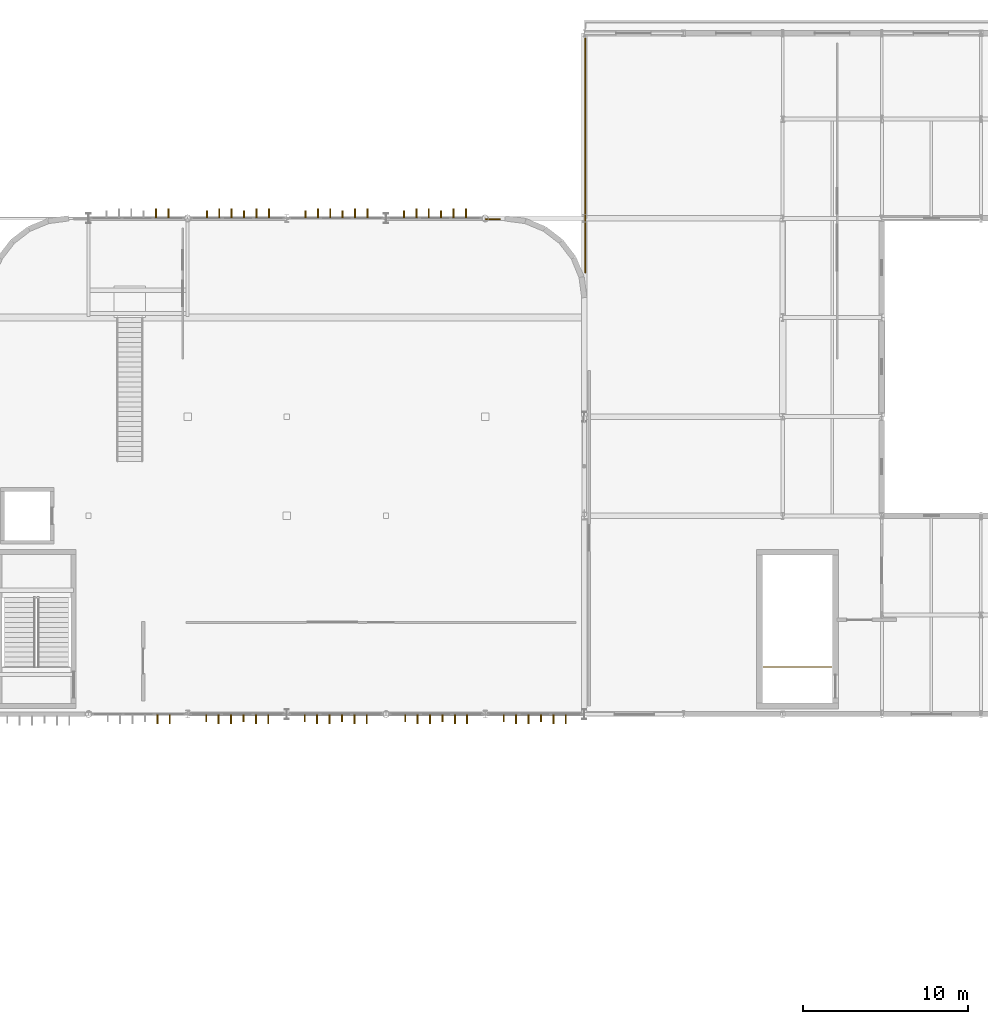
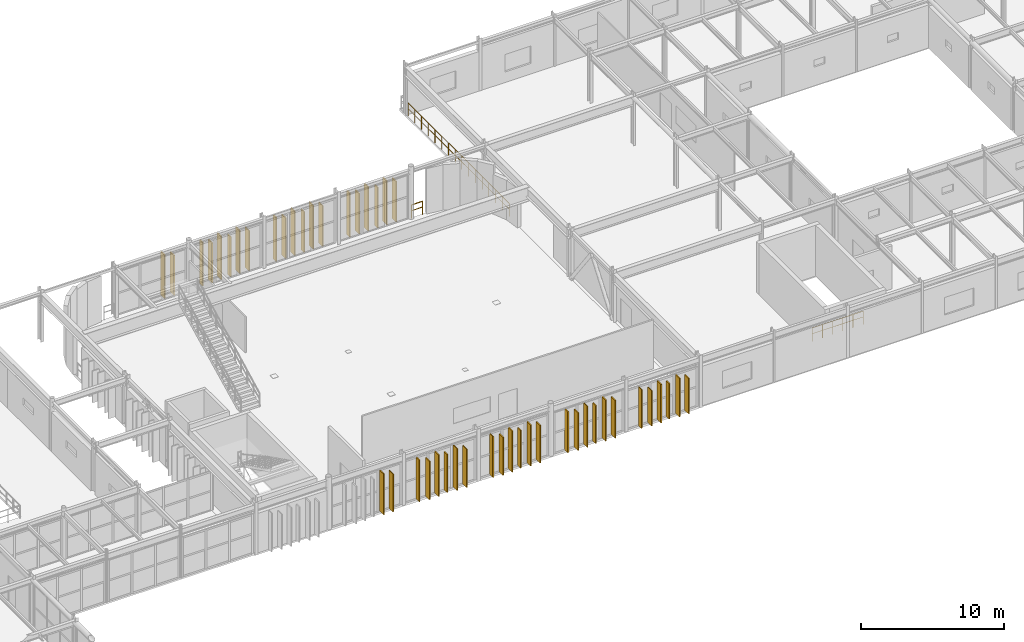
# One storey, part 79 of 84: 46 coverings, 3 railings.
"""IFC4 building model written with IfcOpenShell, lengths in metres."""

from ifc_helpers import new_model, si_unit, direction, frame, origin, origin_2d, place, context, subcontext, project, spatial, rectangle, circle, extrude, material, layer, layer_set, type_object, element, save


model = new_model("IFC4")

# Units and contexts
model_context = context("Model", 3, precision=1e-05, world=origin(), true_north=direction((0.0, 1.0)))
body_context = subcontext(model_context, "Body", "Model", "MODEL_VIEW")
ifc_project = project(units=[si_unit("LENGTHUNIT", "METRE"), si_unit("AREAUNIT", "SQUARE_METRE"), si_unit("VOLUMEUNIT", "CUBIC_METRE"), si_unit("PLANEANGLEUNIT", "RADIAN"), si_unit("MASSUNIT", "GRAM", prefix="KILO")], contexts=[model_context])

# Site, building, storey
site_placement = place(None, origin())
site = spatial("IfcSite", under=ifc_project, at=site_placement, CompositionType="ELEMENT")
building_placement = place(site_placement, origin())
building = spatial("IfcBuilding", under=site, at=building_placement, Name="Varnakota Square Police Headquarters", CompositionType="ELEMENT")
storey_placement = place(building_placement, frame((0.0, 0.0, 13.5)))
storey = spatial("IfcBuildingStorey", under=building, at=storey_placement, Name="L03", CompositionType="ELEMENT", Elevation=13.5)

# Coverings
ifc_material_1 = material(Name="White Anodised Aluminium Vertical Facade Blade 420", Category="aluminium")
ifc_layer_1 = layer(ifc_material_1, 0.0849609375, Name="White Anodised Aluminium Vertical Facade Blade 420")
ifc_layer_set_1 = layer_set([ifc_layer_1], Name="White Anodised Aluminium Vertical Facade Blade 420")
covering_type_1 = type_object("IfcCoveringType", Name="COV-FIN-420", PredefinedType="CLADDING", material=ifc_layer_set_1)
covering_1_placement = place(storey_placement, frame((73.125, 68.762451171875, 0.0400390625), z_axis=(0.0, 0.0, 1.0), x_axis=(1.0, 0.0, 0.0)))
element("IfcCovering", 1, at=covering_1_placement, inside=storey, type_object=covering_type_1, Name="Vertical aluminium facade fin FIN-1294", PredefinedType="CLADDING", context=body_context, shape_type="SweptSolid", body=[
    extrude(rectangle(XDim=0.0849609375, YDim=0.419921875, at=origin_2d()), origin(), (0.0, 0.0, 1.0), 3.56005859375),
])
covering_2_placement = place(storey_placement, frame((75.375, 68.762451171875, 0.0400390625), z_axis=(0.0, 0.0, 1.0), x_axis=(1.0, 0.0, 0.0)))
element("IfcCovering", 2, at=covering_2_placement, inside=storey, type_object=covering_type_1, Name="Vertical aluminium facade fin FIN-1297", PredefinedType="CLADDING", context=body_context, shape_type="SweptSolid", body=[
    extrude(rectangle(XDim=0.0849609375, YDim=0.419921875, at=origin_2d()), origin(), (0.0, 0.0, 1.0), 3.280029296875),
])
covering_3_placement = place(storey_placement, frame((79.0859375, 68.762451171875, 0.0400390625), z_axis=(0.0, 0.0, 1.0), x_axis=(1.0, 0.0, 0.0)))
element("IfcCovering", 3, at=covering_3_placement, inside=storey, type_object=covering_type_1, Name="Vertical aluminium facade fin FIN-1300", PredefinedType="CLADDING", context=body_context, shape_type="SweptSolid", body=[
    extrude(rectangle(XDim=0.0849609375, YDim=0.419921875, at=origin_2d()), origin(), (0.0, 0.0, 1.0), 3.510009765625),
])
covering_4_placement = place(storey_placement, frame((81.3359375, 68.762451171875, 0.0400390625), z_axis=(0.0, 0.0, 1.0), x_axis=(1.0, 0.0, 0.0)))
element("IfcCovering", 4, at=covering_4_placement, inside=storey, type_object=covering_type_1, Name="Vertical aluminium facade fin FIN-1303", PredefinedType="CLADDING", context=body_context, shape_type="SweptSolid", body=[
    extrude(rectangle(XDim=0.0849609375, YDim=0.419921875, at=origin_2d()), origin(), (0.0, 0.0, 1.0), 3.22998046875),
])
covering_5_placement = place(storey_placement, frame((85.1640625, 68.762451171875, 0.0400390625), z_axis=(0.0, 0.0, 1.0), x_axis=(1.0, 0.0, 0.0)))
element("IfcCovering", 5, at=covering_5_placement, inside=storey, type_object=covering_type_1, Name="Vertical aluminium facade fin FIN-1306", PredefinedType="CLADDING", context=body_context, shape_type="SweptSolid", body=[
    extrude(rectangle(XDim=0.0849609375, YDim=0.419921875, at=origin_2d()), origin(), (0.0, 0.0, 1.0), 3.510009765625),
])
covering_6_placement = place(storey_placement, frame((87.4140625, 68.762451171875, 0.0400390625), z_axis=(0.0, 0.0, 1.0), x_axis=(1.0, 0.0, 0.0)))
element("IfcCovering", 6, at=covering_6_placement, inside=storey, type_object=covering_type_1, Name="Vertical aluminium facade fin FIN-1309", PredefinedType="CLADDING", context=body_context, shape_type="SweptSolid", body=[
    extrude(rectangle(XDim=0.0849609375, YDim=0.419921875, at=origin_2d()), origin(), (0.0, 0.0, 1.0), 3.22998046875),
])
covering_7_placement = place(storey_placement, frame((91.125, 68.762451171875, 0.0400390625), z_axis=(0.0, 0.0, 1.0), x_axis=(1.0, 0.0, 0.0)))
element("IfcCovering", 7, at=covering_7_placement, inside=storey, type_object=covering_type_1, Name="Vertical aluminium facade fin FIN-1312", PredefinedType="CLADDING", context=body_context, shape_type="SweptSolid", body=[
    extrude(rectangle(XDim=0.0849609375, YDim=0.419921875, at=origin_2d()), origin(), (0.0, 0.0, 1.0), 3.31005859375),
])
covering_8_placement = place(storey_placement, frame((93.375, 68.762451171875, 0.0400390625), z_axis=(0.0, 0.0, 1.0), x_axis=(1.0, 0.0, 0.0)))
element("IfcCovering", 8, at=covering_8_placement, inside=storey, type_object=covering_type_1, Name="Vertical aluminium facade fin FIN-1315", PredefinedType="CLADDING", context=body_context, shape_type="SweptSolid", body=[
    extrude(rectangle(XDim=0.0849609375, YDim=0.419921875, at=origin_2d()), origin(), (0.0, 0.0, 1.0), 3.030029296875),
])
covering_9_placement = place(storey_placement, frame((73.1640625, 99.237548828125, 0.0400390625), z_axis=(0.0, 0.0, 1.0), x_axis=(1.0, 0.0, 0.0)))
element("IfcCovering", 9, at=covering_9_placement, inside=storey, type_object=covering_type_1, Name="Vertical aluminium facade fin FIN-1324", PredefinedType="CLADDING", context=body_context, shape_type="SweptSolid", body=[
    extrude(rectangle(XDim=0.0849609375, YDim=0.419921875, at=origin_2d()), origin(), (0.0, 0.0, 1.0), 3.7099609375),
])
covering_10_placement = place(storey_placement, frame((75.4140625, 99.237548828125, 0.0400390625), z_axis=(0.0, 0.0, 1.0), x_axis=(1.0, 0.0, 0.0)))
element("IfcCovering", 10, at=covering_10_placement, inside=storey, type_object=covering_type_1, Name="Vertical aluminium facade fin FIN-1327", PredefinedType="CLADDING", context=body_context, shape_type="SweptSolid", body=[
    extrude(rectangle(XDim=0.0849609375, YDim=0.419921875, at=origin_2d()), origin(), (0.0, 0.0, 1.0), 3.429931640625),
])
covering_11_placement = place(storey_placement, frame((79.125, 99.237548828125, 0.0400390625), z_axis=(0.0, 0.0, 1.0), x_axis=(1.0, 0.0, 0.0)))
element("IfcCovering", 11, at=covering_11_placement, inside=storey, type_object=covering_type_1, Name="Vertical aluminium facade fin FIN-1330", PredefinedType="CLADDING", context=body_context, shape_type="SweptSolid", body=[
    extrude(rectangle(XDim=0.0849609375, YDim=0.419921875, at=origin_2d()), origin(), (0.0, 0.0, 1.0), 3.760009765625),
])
covering_12_placement = place(storey_placement, frame((81.375, 99.237548828125, 0.0400390625), z_axis=(0.0, 0.0, 1.0), x_axis=(1.0, 0.0, 0.0)))
element("IfcCovering", 12, at=covering_12_placement, inside=storey, type_object=covering_type_1, Name="Vertical aluminium facade fin FIN-1333", PredefinedType="CLADDING", context=body_context, shape_type="SweptSolid", body=[
    extrude(rectangle(XDim=0.0849609375, YDim=0.419921875, at=origin_2d()), origin(), (0.0, 0.0, 1.0), 3.47998046875),
])
covering_13_placement = place(storey_placement, frame((85.0859375, 99.237548828125, 0.0400390625), z_axis=(0.0, 0.0, 1.0), x_axis=(1.0, 0.0, 0.0)))
element("IfcCovering", 13, at=covering_13_placement, inside=storey, type_object=covering_type_1, Name="Vertical aluminium facade fin FIN-1336", PredefinedType="CLADDING", context=body_context, shape_type="SweptSolid", body=[
    extrude(rectangle(XDim=0.0849609375, YDim=0.419921875, at=origin_2d()), origin(), (0.0, 0.0, 1.0), 3.760009765625),
])
covering_14_placement = place(storey_placement, frame((87.3359375, 99.237548828125, 0.0400390625), z_axis=(0.0, 0.0, 1.0), x_axis=(1.0, 0.0, 0.0)))
element("IfcCovering", 14, at=covering_14_placement, inside=storey, type_object=covering_type_1, Name="Vertical aluminium facade fin FIN-1339", PredefinedType="CLADDING", context=body_context, shape_type="SweptSolid", body=[
    extrude(rectangle(XDim=0.0849609375, YDim=0.419921875, at=origin_2d()), origin(), (0.0, 0.0, 1.0), 3.47998046875),
])
ifc_material_2 = material(Name="White Anodised Aluminium Vertical Facade Blade 550", Category="aluminium")
ifc_layer_2 = layer(ifc_material_2, 0.0849609375, Name="White Anodised Aluminium Vertical Facade Blade 550")
ifc_layer_set_2 = layer_set([ifc_layer_2], Name="White Anodised Aluminium Vertical Facade Blade 550")
covering_type_2 = type_object("IfcCoveringType", Name="COV-FIN-550", PredefinedType="CLADDING", material=ifc_layer_set_2)
covering_15_placement = place(storey_placement, frame((70.1640625, 68.697509765625, 0.0400390625), z_axis=(0.0, 0.0, 1.0), x_axis=(1.0, 0.0, 0.0)))
element("IfcCovering", 15, at=covering_15_placement, inside=storey, type_object=covering_type_2, Name="Vertical aluminium facade fin FIN-1292", PredefinedType="CLADDING", context=body_context, shape_type="SweptSolid", body=[
    extrude(rectangle(XDim=0.0849609375, YDim=0.550048828125, at=origin_2d()), origin(), (0.0, 0.0, 1.0), 3.510009765625),
])
covering_16_placement = place(storey_placement, frame((70.9140625, 68.697509765625, 0.0400390625), z_axis=(0.0, 0.0, 1.0), x_axis=(1.0, 0.0, 0.0)))
element("IfcCovering", 16, at=covering_16_placement, inside=storey, type_object=covering_type_2, Name="Vertical aluminium facade fin FIN-1293", PredefinedType="CLADDING", context=body_context, shape_type="SweptSolid", body=[
    extrude(rectangle(XDim=0.0849609375, YDim=0.550048828125, at=origin_2d()), origin(), (0.0, 0.0, 1.0), 3.22998046875),
])
covering_17_placement = place(storey_placement, frame((73.875, 68.697509765625, 0.0400390625), z_axis=(0.0, 0.0, 1.0), x_axis=(1.0, 0.0, 0.0)))
element("IfcCovering", 17, at=covering_17_placement, inside=storey, type_object=covering_type_2, Name="Vertical aluminium facade fin FIN-1295", PredefinedType="CLADDING", context=body_context, shape_type="SweptSolid", body=[
    extrude(rectangle(XDim=0.0849609375, YDim=0.550048828125, at=origin_2d()), origin(), (0.0, 0.0, 1.0), 3.280029296875),
])
for number, where, z_axis, x_axis, name in (
    (18, (74.625, 68.697509765625, 0.0400390625), (0.0, 0.0, 1.0), (1.0, 0.0, 0.0), "Vertical aluminium facade fin FIN-1296"),
    (19, (76.125, 68.697509765625, 0.0400390625), (0.0, 0.0, 1.0), (1.0, 0.0, 0.0), "Vertical aluminium facade fin FIN-1298"),
):
    element("IfcCovering", number, at=place(storey_placement, frame(where, z_axis=z_axis, x_axis=x_axis)), inside=storey, type_object=covering_type_2, Name=name, PredefinedType="CLADDING", context=body_context, shape_type="SweptSolid", body=[
        extrude(rectangle(XDim=0.0849609375, YDim=0.550048828125, at=origin_2d()), origin(), (0.0, 0.0, 1.0), 3.56005859375),
    ])
covering_18_placement = place(storey_placement, frame((76.875, 68.697509765625, 0.0400390625), z_axis=(0.0, 0.0, 1.0), x_axis=(1.0, 0.0, 0.0)))
element("IfcCovering", 20, at=covering_18_placement, inside=storey, type_object=covering_type_2, Name="Vertical aluminium facade fin FIN-1299", PredefinedType="CLADDING", context=body_context, shape_type="SweptSolid", body=[
    extrude(rectangle(XDim=0.0849609375, YDim=0.550048828125, at=origin_2d()), origin(), (0.0, 0.0, 1.0), 3.280029296875),
])
covering_19_placement = place(storey_placement, frame((79.8359375, 68.697509765625, 0.0400390625), z_axis=(0.0, 0.0, 1.0), x_axis=(1.0, 0.0, 0.0)))
element("IfcCovering", 21, at=covering_19_placement, inside=storey, type_object=covering_type_2, Name="Vertical aluminium facade fin FIN-1301", PredefinedType="CLADDING", context=body_context, shape_type="SweptSolid", body=[
    extrude(rectangle(XDim=0.0849609375, YDim=0.550048828125, at=origin_2d()), origin(), (0.0, 0.0, 1.0), 3.22998046875),
])
for number, where, z_axis, x_axis, name in (
    (22, (80.5859375, 68.697509765625, 0.0400390625), (0.0, 0.0, 1.0), (1.0, 0.0, 0.0), "Vertical aluminium facade fin FIN-1302"),
    (23, (82.0859375, 68.697509765625, 0.0400390625), (0.0, 0.0, 1.0), (1.0, 0.0, 0.0), "Vertical aluminium facade fin FIN-1304"),
):
    element("IfcCovering", number, at=place(storey_placement, frame(where, z_axis=z_axis, x_axis=x_axis)), inside=storey, type_object=covering_type_2, Name=name, PredefinedType="CLADDING", context=body_context, shape_type="SweptSolid", body=[
        extrude(rectangle(XDim=0.0849609375, YDim=0.550048828125, at=origin_2d()), origin(), (0.0, 0.0, 1.0), 3.510009765625),
    ])
for number, where, z_axis, x_axis, name in (
    (24, (82.8359375, 68.697509765625, 0.0400390625), (0.0, 0.0, 1.0), (1.0, 0.0, 0.0), "Vertical aluminium facade fin FIN-1305"),
    (25, (85.9140625, 68.697509765625, 0.0400390625), (0.0, 0.0, 1.0), (1.0, 0.0, 0.0), "Vertical aluminium facade fin FIN-1307"),
):
    element("IfcCovering", number, at=place(storey_placement, frame(where, z_axis=z_axis, x_axis=x_axis)), inside=storey, type_object=covering_type_2, Name=name, PredefinedType="CLADDING", context=body_context, shape_type="SweptSolid", body=[
        extrude(rectangle(XDim=0.0849609375, YDim=0.550048828125, at=origin_2d()), origin(), (0.0, 0.0, 1.0), 3.22998046875),
    ])
for number, where, z_axis, x_axis, name in (
    (26, (86.6640625, 68.697509765625, 0.0400390625), (0.0, 0.0, 1.0), (1.0, 0.0, 0.0), "Vertical aluminium facade fin FIN-1308"),
    (27, (88.1640625, 68.697509765625, 0.0400390625), (0.0, 0.0, 1.0), (1.0, 0.0, 0.0), "Vertical aluminium facade fin FIN-1310"),
):
    element("IfcCovering", number, at=place(storey_placement, frame(where, z_axis=z_axis, x_axis=x_axis)), inside=storey, type_object=covering_type_2, Name=name, PredefinedType="CLADDING", context=body_context, shape_type="SweptSolid", body=[
        extrude(rectangle(XDim=0.0849609375, YDim=0.550048828125, at=origin_2d()), origin(), (0.0, 0.0, 1.0), 3.510009765625),
    ])
covering_20_placement = place(storey_placement, frame((88.9140625, 68.697509765625, 0.0400390625), z_axis=(0.0, 0.0, 1.0), x_axis=(1.0, 0.0, 0.0)))
element("IfcCovering", 28, at=covering_20_placement, inside=storey, type_object=covering_type_2, Name="Vertical aluminium facade fin FIN-1311", PredefinedType="CLADDING", context=body_context, shape_type="SweptSolid", body=[
    extrude(rectangle(XDim=0.0849609375, YDim=0.550048828125, at=origin_2d()), origin(), (0.0, 0.0, 1.0), 3.22998046875),
])
covering_21_placement = place(storey_placement, frame((91.875, 68.697509765625, 0.0400390625), z_axis=(0.0, 0.0, 1.0), x_axis=(1.0, 0.0, 0.0)))
element("IfcCovering", 29, at=covering_21_placement, inside=storey, type_object=covering_type_2, Name="Vertical aluminium facade fin FIN-1313", PredefinedType="CLADDING", context=body_context, shape_type="SweptSolid", body=[
    extrude(rectangle(XDim=0.0849609375, YDim=0.550048828125, at=origin_2d()), origin(), (0.0, 0.0, 1.0), 3.030029296875),
])
for number, where, z_axis, x_axis, name in (
    (30, (92.625, 68.697509765625, 0.0400390625), (0.0, 0.0, 1.0), (1.0, 0.0, 0.0), "Vertical aluminium facade fin FIN-1314"),
    (31, (94.125, 68.697509765625, 0.0400390625), (0.0, 0.0, 1.0), (1.0, 0.0, 0.0), "Vertical aluminium facade fin FIN-1316"),
):
    element("IfcCovering", number, at=place(storey_placement, frame(where, z_axis=z_axis, x_axis=x_axis)), inside=storey, type_object=covering_type_2, Name=name, PredefinedType="CLADDING", context=body_context, shape_type="SweptSolid", body=[
        extrude(rectangle(XDim=0.0849609375, YDim=0.550048828125, at=origin_2d()), origin(), (0.0, 0.0, 1.0), 3.31005859375),
    ])
covering_22_placement = place(storey_placement, frame((94.875, 68.697509765625, 0.0400390625), z_axis=(0.0, 0.0, 1.0), x_axis=(1.0, 0.0, 0.0)))
element("IfcCovering", 32, at=covering_22_placement, inside=storey, type_object=covering_type_2, Name="Vertical aluminium facade fin FIN-1317", PredefinedType="CLADDING", context=body_context, shape_type="SweptSolid", body=[
    extrude(rectangle(XDim=0.0849609375, YDim=0.550048828125, at=origin_2d()), origin(), (0.0, 0.0, 1.0), 3.030029296875),
])
covering_23_placement = place(storey_placement, frame((70.0859375, 99.302490234375, 0.0400390625), z_axis=(0.0, 0.0, 1.0), x_axis=(1.0, 0.0, 0.0)))
element("IfcCovering", 33, at=covering_23_placement, inside=storey, type_object=covering_type_2, Name="Vertical aluminium facade fin FIN-1322", PredefinedType="CLADDING", context=body_context, shape_type="SweptSolid", body=[
    extrude(rectangle(XDim=0.0849609375, YDim=0.550048828125, at=origin_2d()), origin(), (0.0, 0.0, 1.0), 3.7099609375),
])
for number, where, z_axis, x_axis, name in (
    (34, (70.8359375, 99.302490234375, 0.0400390625), (0.0, 0.0, 1.0), (1.0, 0.0, 0.0), "Vertical aluminium facade fin FIN-1323"),
    (35, (73.9140625, 99.302490234375, 0.0400390625), (0.0, 0.0, 1.0), (1.0, 0.0, 0.0), "Vertical aluminium facade fin FIN-1325"),
):
    element("IfcCovering", number, at=place(storey_placement, frame(where, z_axis=z_axis, x_axis=x_axis)), inside=storey, type_object=covering_type_2, Name=name, PredefinedType="CLADDING", context=body_context, shape_type="SweptSolid", body=[
        extrude(rectangle(XDim=0.0849609375, YDim=0.550048828125, at=origin_2d()), origin(), (0.0, 0.0, 1.0), 3.429931640625),
    ])
for number, where, z_axis, x_axis, name in (
    (36, (74.6640625, 99.302490234375, 0.0400390625), (0.0, 0.0, 1.0), (1.0, 0.0, 0.0), "Vertical aluminium facade fin FIN-1326"),
    (37, (76.1640625, 99.302490234375, 0.0400390625), (0.0, 0.0, 1.0), (1.0, 0.0, 0.0), "Vertical aluminium facade fin FIN-1328"),
):
    element("IfcCovering", number, at=place(storey_placement, frame(where, z_axis=z_axis, x_axis=x_axis)), inside=storey, type_object=covering_type_2, Name=name, PredefinedType="CLADDING", context=body_context, shape_type="SweptSolid", body=[
        extrude(rectangle(XDim=0.0849609375, YDim=0.550048828125, at=origin_2d()), origin(), (0.0, 0.0, 1.0), 3.7099609375),
    ])
covering_24_placement = place(storey_placement, frame((76.9140625, 99.302490234375, 0.0400390625), z_axis=(0.0, 0.0, 1.0), x_axis=(1.0, 0.0, 0.0)))
element("IfcCovering", 38, at=covering_24_placement, inside=storey, type_object=covering_type_2, Name="Vertical aluminium facade fin FIN-1329", PredefinedType="CLADDING", context=body_context, shape_type="SweptSolid", body=[
    extrude(rectangle(XDim=0.0849609375, YDim=0.550048828125, at=origin_2d()), origin(), (0.0, 0.0, 1.0), 3.429931640625),
])
covering_25_placement = place(storey_placement, frame((79.875, 99.302490234375, 0.0400390625), z_axis=(0.0, 0.0, 1.0), x_axis=(1.0, 0.0, 0.0)))
element("IfcCovering", 39, at=covering_25_placement, inside=storey, type_object=covering_type_2, Name="Vertical aluminium facade fin FIN-1331", PredefinedType="CLADDING", context=body_context, shape_type="SweptSolid", body=[
    extrude(rectangle(XDim=0.0849609375, YDim=0.550048828125, at=origin_2d()), origin(), (0.0, 0.0, 1.0), 3.47998046875),
])
for number, where, z_axis, x_axis, name in (
    (40, (80.625, 99.302490234375, 0.0400390625), (0.0, 0.0, 1.0), (1.0, 0.0, 0.0), "Vertical aluminium facade fin FIN-1332"),
    (41, (82.125, 99.302490234375, 0.0400390625), (0.0, 0.0, 1.0), (1.0, 0.0, 0.0), "Vertical aluminium facade fin FIN-1334"),
):
    element("IfcCovering", number, at=place(storey_placement, frame(where, z_axis=z_axis, x_axis=x_axis)), inside=storey, type_object=covering_type_2, Name=name, PredefinedType="CLADDING", context=body_context, shape_type="SweptSolid", body=[
        extrude(rectangle(XDim=0.0849609375, YDim=0.550048828125, at=origin_2d()), origin(), (0.0, 0.0, 1.0), 3.760009765625),
    ])
for number, where, z_axis, x_axis, name in (
    (42, (82.875, 99.302490234375, 0.0400390625), (0.0, 0.0, 1.0), (1.0, 0.0, 0.0), "Vertical aluminium facade fin FIN-1335"),
    (43, (85.8359375, 99.302490234375, 0.0400390625), (0.0, 0.0, 1.0), (1.0, 0.0, 0.0), "Vertical aluminium facade fin FIN-1337"),
):
    element("IfcCovering", number, at=place(storey_placement, frame(where, z_axis=z_axis, x_axis=x_axis)), inside=storey, type_object=covering_type_2, Name=name, PredefinedType="CLADDING", context=body_context, shape_type="SweptSolid", body=[
        extrude(rectangle(XDim=0.0849609375, YDim=0.550048828125, at=origin_2d()), origin(), (0.0, 0.0, 1.0), 3.47998046875),
    ])
for number, where, z_axis, x_axis, name in (
    (44, (86.5859375, 99.302490234375, 0.0400390625), (0.0, 0.0, 1.0), (1.0, 0.0, 0.0), "Vertical aluminium facade fin FIN-1338"),
    (45, (88.0859375, 99.302490234375, 0.0400390625), (0.0, 0.0, 1.0), (1.0, 0.0, 0.0), "Vertical aluminium facade fin FIN-1340"),
):
    element("IfcCovering", number, at=place(storey_placement, frame(where, z_axis=z_axis, x_axis=x_axis)), inside=storey, type_object=covering_type_2, Name=name, PredefinedType="CLADDING", context=body_context, shape_type="SweptSolid", body=[
        extrude(rectangle(XDim=0.0849609375, YDim=0.550048828125, at=origin_2d()), origin(), (0.0, 0.0, 1.0), 3.760009765625),
    ])
covering_26_placement = place(storey_placement, frame((88.8359375, 99.302490234375, 0.0400390625), z_axis=(0.0, 0.0, 1.0), x_axis=(1.0, 0.0, 0.0)))
element("IfcCovering", 46, at=covering_26_placement, inside=storey, type_object=covering_type_2, Name="Vertical aluminium facade fin FIN-1341", PredefinedType="CLADDING", context=body_context, shape_type="SweptSolid", body=[
    extrude(rectangle(XDim=0.0849609375, YDim=0.550048828125, at=origin_2d()), origin(), (0.0, 0.0, 1.0), 3.47998046875),
])

# Railings
ifc_material_3 = material(Name="Galvanised Powder-Coated Steel Guardrail", Category="steel")
railing_type_1 = type_object("IfcRailingType", Name="RL-BAL-1150", PredefinedType="BALUSTRADE", material=ifc_material_3)
railing_1_placement = place(storey_placement, frame((90.0263671875, 98.949951171875, 0.0)))
element("IfcRailing", 47, at=railing_1_placement, inside=storey, type_object=railing_type_1, Name="Perimeter edge safety guard GD-AUTO-L03-073", PredefinedType="BALUSTRADE", context=body_context, shape_type="SweptSolid", body=[
    extrude(circle(Radius=0.02392578125, at=origin_2d()), frame((0.0, 0.0, 1.1259765625), z_axis=(1.0, 0.0, 0.0), x_axis=(0.0, 1.0, 0.0)), (0.0, 0.0, 1.0), 0.8779296875),
    extrude(circle(Radius=0.01806640625, at=origin_2d()), frame((0.0, 0.0, 0.63232421875), z_axis=(1.0, 0.0, 0.0), x_axis=(0.0, 1.0, 0.0)), (0.0, 0.0, 1.0), 0.8779296875),
    extrude(circle(Radius=0.02099609375, at=origin_2d()), origin(), (0.0, 0.0, 1.0), 1.101806640625),
    extrude(circle(Radius=0.02099609375, at=origin_2d()), frame((0.8779296875, 0.0, 0.0)), (0.0, 0.0, 1.0), 1.101806640625),
])
railing_2_placement = place(storey_placement, frame((96.050048828125, 95.710693359375, 0.0)))
element("IfcRailing", 48, at=railing_2_placement, inside=storey, type_object=railing_type_1, Name="Perimeter edge safety guard GD-AUTO-L03-074", PredefinedType="BALUSTRADE", context=body_context, shape_type="SweptSolid", body=[
    extrude(circle(Radius=0.02392578125, at=origin_2d()), frame((0.0, 0.0, 1.1259765625), z_axis=(0.0, 1.0, 0.0), x_axis=(-1.0, 0.0, 0.0)), (0.0, 0.0, 1.0), 14.180419921875),
    extrude(circle(Radius=0.01806640625, at=origin_2d()), frame((0.0, 0.0, 0.63232421875), z_axis=(0.0, 1.0, 0.0), x_axis=(-1.0, 0.0, 0.0)), (0.0, 0.0, 1.0), 14.180419921875),
    extrude(circle(Radius=0.02099609375, at=origin_2d()), origin(), (0.0, 0.0, 1.0), 1.101806640625),
    extrude(circle(Radius=0.02099609375, at=origin_2d()), frame((0.0, 0.9453125, 0.0)), (0.0, 0.0, 1.0), 1.101806640625),
    extrude(circle(Radius=0.02099609375, at=origin_2d()), frame((0.0, 1.890625, 0.0)), (0.0, 0.0, 1.0), 1.101806640625),
    extrude(circle(Radius=0.02099609375, at=origin_2d()), frame((0.0, 2.836181640625, 0.0)), (0.0, 0.0, 1.0), 1.101806640625),
    extrude(circle(Radius=0.02099609375, at=origin_2d()), frame((0.0, 3.781494140625, 0.0)), (0.0, 0.0, 1.0), 1.101806640625),
    extrude(circle(Radius=0.02099609375, at=origin_2d()), frame((0.0, 4.726806640625, 0.0)), (0.0, 0.0, 1.0), 1.101806640625),
    extrude(circle(Radius=0.02099609375, at=origin_2d()), frame((0.0, 5.672119140625, 0.0)), (0.0, 0.0, 1.0), 1.101806640625),
    extrude(circle(Radius=0.02099609375, at=origin_2d()), frame((0.0, 6.617431640625, 0.0)), (0.0, 0.0, 1.0), 1.101806640625),
    extrude(circle(Radius=0.02099609375, at=origin_2d()), frame((0.0, 7.56298828125, 0.0)), (0.0, 0.0, 1.0), 1.101806640625),
    extrude(circle(Radius=0.02099609375, at=origin_2d()), frame((0.0, 8.50830078125, 0.0)), (0.0, 0.0, 1.0), 1.101806640625),
    extrude(circle(Radius=0.02099609375, at=origin_2d()), frame((0.0, 9.45361328125, 0.0)), (0.0, 0.0, 1.0), 1.101806640625),
    extrude(circle(Radius=0.02099609375, at=origin_2d()), frame((0.0, 10.39892578125, 0.0)), (0.0, 0.0, 1.0), 1.101806640625),
    extrude(circle(Radius=0.02099609375, at=origin_2d()), frame((0.0, 11.34423828125, 0.0)), (0.0, 0.0, 1.0), 1.101806640625),
    extrude(circle(Radius=0.02099609375, at=origin_2d()), frame((0.0, 12.289794921875, 0.0)), (0.0, 0.0, 1.0), 1.101806640625),
    extrude(circle(Radius=0.02099609375, at=origin_2d()), frame((0.0, 13.235107421875, 0.0)), (0.0, 0.0, 1.0), 1.101806640625),
    extrude(circle(Radius=0.02099609375, at=origin_2d()), frame((0.0, 14.180419921875, 0.0)), (0.0, 0.0, 1.0), 1.101806640625),
])
ifc_material_4 = material(Name="Laminated Glass and Stainless Steel Balustrade", Category="steel")
railing_type_2 = type_object("IfcRailingType", Name="RL-INT-1150", PredefinedType="BALUSTRADE", material=ifc_material_4)
railing_3_placement = place(storey_placement, frame((106.840087890625, 71.85009765625, 0.0)))
element("IfcRailing", 49, at=railing_3_placement, inside=storey, type_object=railing_type_2, Name="Stair well safety guard C9 L03", PredefinedType="BALUSTRADE", context=body_context, shape_type="SweptSolid", body=[
    extrude(circle(Radius=0.02392578125, at=origin_2d()), frame((0.0, 0.0, 1.1259765625), z_axis=(1.0, 0.0, 0.0), x_axis=(0.0, 1.0, 0.0)), (0.0, 0.0, 1.0), 4.119873046875),
    extrude(circle(Radius=0.01806640625, at=origin_2d()), frame((0.0, 0.0, 0.63232421875), z_axis=(1.0, 0.0, 0.0), x_axis=(0.0, 1.0, 0.0)), (0.0, 0.0, 1.0), 4.119873046875),
    extrude(circle(Radius=0.02099609375, at=origin_2d()), origin(), (0.0, 0.0, 1.0), 1.101806640625),
    extrude(circle(Radius=0.02099609375, at=origin_2d()), frame((0.823974609375, 0.0, 0.0)), (0.0, 0.0, 1.0), 1.101806640625),
    extrude(circle(Radius=0.02099609375, at=origin_2d()), frame((1.64794921875, 0.0, 0.0)), (0.0, 0.0, 1.0), 1.101806640625),
    extrude(circle(Radius=0.02099609375, at=origin_2d()), frame((2.471923828125, 0.0, 0.0)), (0.0, 0.0, 1.0), 1.101806640625),
    extrude(circle(Radius=0.02099609375, at=origin_2d()), frame((3.2958984375, 0.0, 0.0)), (0.0, 0.0, 1.0), 1.101806640625),
    extrude(circle(Radius=0.02099609375, at=origin_2d()), frame((4.119873046875, 0.0, 0.0)), (0.0, 0.0, 1.0), 1.101806640625),
])

save(model, "model.ifc")
